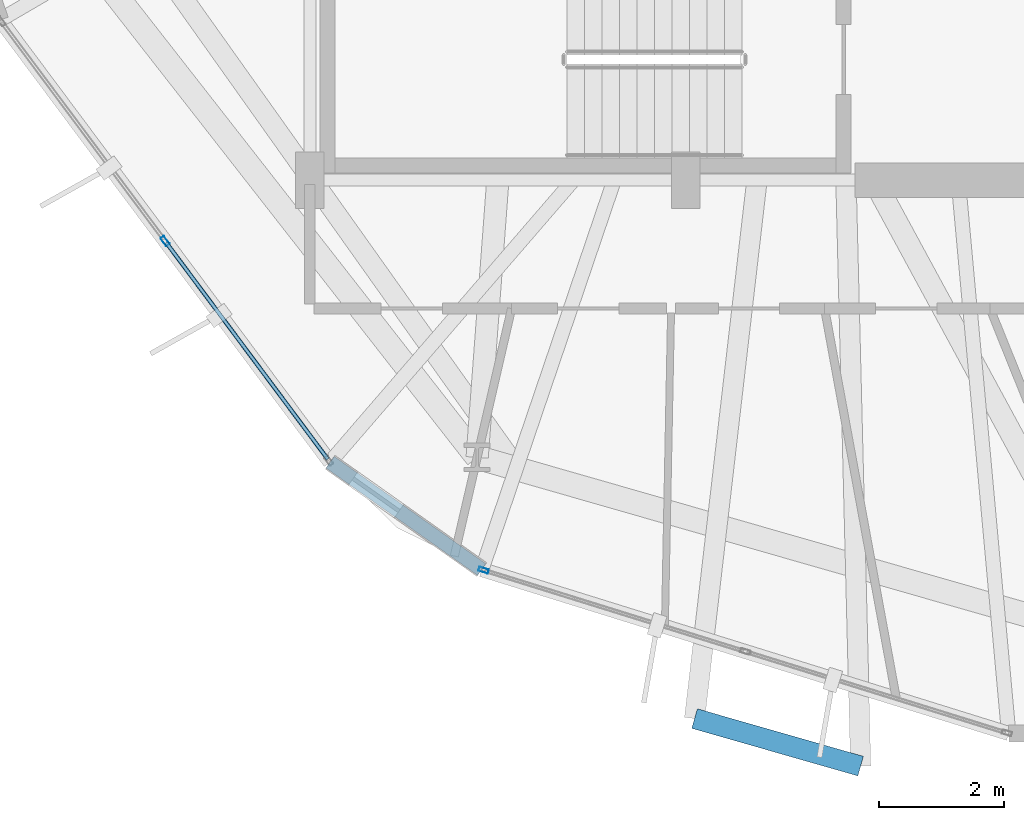
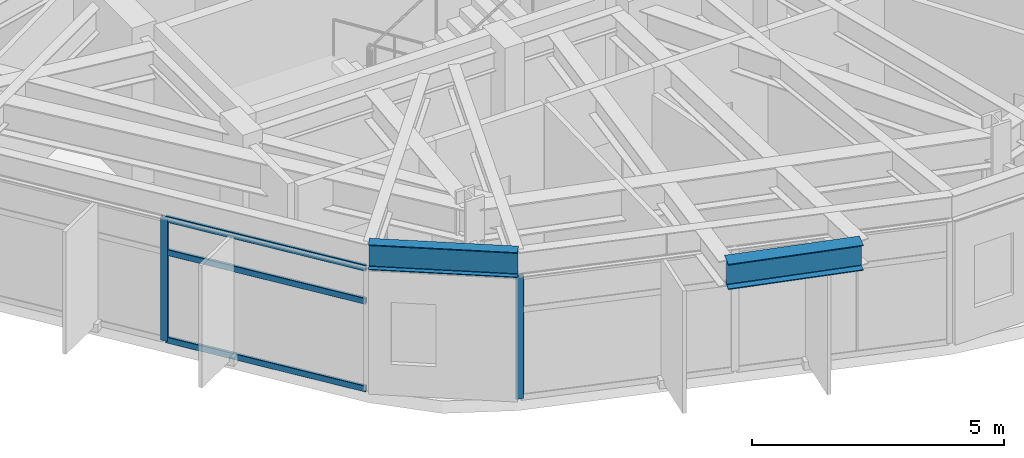
# One storey, part 2 of 25: 5 members, 2 beams, 2 elements without a shape of their own.
"""IFC4 building model written with IfcOpenShell, lengths in metres."""

from ifc_helpers import new_model, si_unit, direction, frame, origin, origin_2d, place, context, subcontext, project, spatial, hollow_rectangle, i_section, extrude, material, layer, layer_set, material_profile, profile_set, type_object, element, aggregate, save


model = new_model("IFC4")

# Units and contexts
model_context = context("Model", 3, precision=1e-05, world=origin(), true_north=direction((0.0, 1.0)))
body_context = subcontext(model_context, "Body", "Model", "MODEL_VIEW")
ifc_project = project(units=[si_unit("LENGTHUNIT", "METRE"), si_unit("AREAUNIT", "SQUARE_METRE"), si_unit("VOLUMEUNIT", "CUBIC_METRE"), si_unit("PLANEANGLEUNIT", "RADIAN"), si_unit("MASSUNIT", "GRAM", prefix="KILO")], contexts=[model_context])

# Site, building, storey
site_placement = place(None, origin())
site = spatial("IfcSite", under=ifc_project, at=site_placement, CompositionType="ELEMENT")
building_placement = place(site_placement, origin())
building = spatial("IfcBuilding", under=site, at=building_placement, Name="Soratama Intermodal Tower", CompositionType="ELEMENT")
storey_placement = place(building_placement, frame((0.0, 0.0, 106.89990234375)))
storey = spatial("IfcBuildingStorey", under=building, at=storey_placement, Name="L25", CompositionType="ELEMENT", Elevation=106.89990234375)

# Beams
ifc_material_1 = material(Name="Structural steel ASTM A992 Grade 50", Category="steel")
ifc_material_profile_1 = material_profile(ifc_material_1, i_section(OverallWidth=0.324951171875, OverallDepth=0.615966796875, WebThickness=0.013916015625, FlangeThickness=0.021484375, FilletRadius=0.013916015625, at=origin_2d()), Name="W24X117")
ifc_profile_set_1 = profile_set([ifc_material_profile_1], Name="Structural steel ASTM A992 Grade 50")
beam_type_1 = type_object("IfcBeamType", Name="BM-CANT-W24X117", PredefinedType="BEAM", material=ifc_profile_set_1)
beam_1_placement = place(storey_placement, frame((38.739990234375, 6.406982421875, 3.2919921875), z_axis=(0.961339907642, -0.275364453, 0.0), x_axis=(0.275364453, 0.961339907642, 0.0)))
element("IfcBeam", 1, at=beam_1_placement, inside=storey, type_object=beam_type_1, Name="BM-L25-CBHDR-3", PredefinedType="BEAM", context=body_context, shape_type="SweptSolid", body=[
    extrude(i_section(OverallWidth=0.324951171875, OverallDepth=0.615966796875, WebThickness=0.013916015625, FlangeThickness=0.021484375, FilletRadius=0.013916015625, at=origin_2d()), origin(), (0.0, 0.0, 1.0), 2.75634765625),
])
ifc_material_2 = material(Name="Structural steel ASTM A992 Grade 50", Category="steel")
ifc_material_profile_2 = material_profile(ifc_material_2, i_section(OverallWidth=0.22900390625, OverallDepth=0.612060546875, WebThickness=0.011962890625, FlangeThickness=0.01953125, FilletRadius=0.012939453125, at=origin_2d()), Name="W24X84")
ifc_profile_set_2 = profile_set([ifc_material_profile_2], Name="Structural steel ASTM A992 Grade 50")
beam_type_2 = type_object("IfcBeamType", Name="BM-SPN-W24X84", PredefinedType="SPANDREL", material=ifc_profile_set_2)
beam_2_placement = place(storey_placement, frame((32.922119140625, 10.498046875, 3.294189453125), z_axis=(0.816244349889, -0.577706812557, 0.0), x_axis=(0.577706812557, 0.816244349889, 0.0)))
element("IfcBeam", 2, at=beam_2_placement, inside=storey, type_object=beam_type_2, Name="BS-L25-CRN06", PredefinedType="SPANDREL", context=body_context, shape_type="SweptSolid", body=[
    extrude(i_section(OverallWidth=0.22900390625, OverallDepth=0.612060546875, WebThickness=0.011962890625, FlangeThickness=0.01953125, FilletRadius=0.012939453125, at=origin_2d()), origin(), (0.0, 0.0, 1.0), 2.967041015625),
])

# Curtain wall, member
ifc_material_3 = material(Name="Double-glazed aluminium curtain wall", Category="aluminium")
ifc_layer = layer(ifc_material_3, 0.159912109375)
ifc_layer_set = layer_set([ifc_layer], Name="Double-glazed aluminium curtain wall")
curtain_wall_type = type_object("IfcCurtainWallType", Name="CW-SYS-3", PredefinedType="NOTDEFINED", material=ifc_layer_set)
curtain_wall_1_placement = place(storey_placement, origin())
curtain_wall_1 = element("IfcCurtainWall", 3, at=curtain_wall_1_placement, inside=storey, type_object=curtain_wall_type, Name="L25 Faceted Curtain Wall F06", PredefinedType="NOTDEFINED")
ifc_material_4 = material(Name="Anodised aluminium AA 6063-T6", Category="aluminium")
ifc_material_profile_3 = material_profile(ifc_material_4, hollow_rectangle(XDim=0.070068359375, YDim=0.159912109375, WallThickness=0.0048828125, InnerFilletRadius=0.0048828125, OuterFilletRadius=0.010009765625, at=origin_2d()), Name="CWM160X70X5")
ifc_profile_set_3 = profile_set([ifc_material_profile_3], Name="Anodised aluminium AA 6063-T6")
member_type_1 = type_object("IfcMemberType", Name="MT-CWM-3", PredefinedType="MULLION", material=ifc_profile_set_3)
member_1_placement = place(storey_placement, frame((30.289794921875, 14.02734375, 0.0), z_axis=(0.0, 0.0, 1.0), x_axis=(0.801564290617, 0.597908595027, 0.0)))
member_1 = element("IfcMember", 4, at=member_1_placement, type_object=member_type_1, Name="CW-3 mullion 2", PredefinedType="MULLION", context=body_context, shape_type="SweptSolid", body=[
    extrude(hollow_rectangle(XDim=0.070068359375, YDim=0.159912109375, WallThickness=0.0048828125, InnerFilletRadius=0.0048828125, OuterFilletRadius=0.010009765625, at=origin_2d()), origin(), (0.0, 0.0, 1.0), 2.97900390625),
])

curtain_wall_2_placement = place(storey_placement, origin())
curtain_wall_2 = element("IfcCurtainWall", 5, at=curtain_wall_2_placement, inside=storey, type_object=curtain_wall_type, Name="L25 Faceted Curtain Wall F07", PredefinedType="NOTDEFINED")
member_2_placement = place(storey_placement, frame((35.372802734375, 8.775390625, 0.0), z_axis=(0.0, 0.0, 1.0), x_axis=(0.297039174407, 0.954865293572, 0.0)))
member_2 = element("IfcMember", 6, at=member_2_placement, type_object=member_type_1, Name="CW-3 mullion 1", PredefinedType="MULLION", context=body_context, shape_type="SweptSolid", body=[
    extrude(hollow_rectangle(XDim=0.070068359375, YDim=0.159912109375, WallThickness=0.0048828125, InnerFilletRadius=0.0048828125, OuterFilletRadius=0.010009765625, at=origin_2d()), origin(), (0.0, 0.0, 1.0), 2.97900390625),
])
aggregate(curtain_wall_2, [member_2])

# Member
ifc_material_5 = material(Name="Anodised aluminium AA 6063-T6", Category="aluminium")
ifc_material_profile_4 = material_profile(ifc_material_5, hollow_rectangle(XDim=0.06494140625, YDim=0.14990234375, WallThickness=0.0048828125, InnerFilletRadius=0.0048828125, OuterFilletRadius=0.010009765625, at=origin_2d()), Name="CWT150X65X5")
ifc_profile_set_4 = profile_set([ifc_material_profile_4], Name="Anodised aluminium AA 6063-T6")
member_type_2 = type_object("IfcMemberType", Name="TT-CWT-1", PredefinedType="USERDEFINED", material=ifc_profile_set_4)
member_3_placement = place(storey_placement, frame((30.3076171875, 14.003173828125, 0.030029296875), z_axis=(0.597942238743, -0.801539193756, 0.0), x_axis=(0.801539193756, 0.597942238743, 0.0)))
member_3 = element("IfcMember", 7, at=member_3_placement, type_object=member_type_2, Name="CW-3 transom 2.1", ObjectType="TRANSOM", PredefinedType="USERDEFINED", context=body_context, shape_type="SweptSolid", body=[
    extrude(hollow_rectangle(XDim=0.06494140625, YDim=0.14990234375, WallThickness=0.0048828125, InnerFilletRadius=0.0048828125, OuterFilletRadius=0.010009765625, at=origin_2d()), origin(), (0.0, 0.0, 1.0), 4.313232421875),
])

member_4_placement = place(storey_placement, frame((30.3076171875, 14.003173828125, 2.150146484375), z_axis=(0.597942238743, -0.801539193756, 0.0), x_axis=(0.801539193756, 0.597942238743, 0.0)))
member_4 = element("IfcMember", 8, at=member_4_placement, type_object=member_type_2, Name="CW-3 transom 2.2", ObjectType="TRANSOM", PredefinedType="USERDEFINED", context=body_context, shape_type="SweptSolid", body=[
    extrude(hollow_rectangle(XDim=0.06494140625, YDim=0.14990234375, WallThickness=0.0048828125, InnerFilletRadius=0.0048828125, OuterFilletRadius=0.010009765625, at=origin_2d()), origin(), (0.0, 0.0, 1.0), 4.313232421875),
])

member_5_placement = place(storey_placement, frame((30.3076171875, 14.003173828125, 2.94921875), z_axis=(0.597942238743, -0.801539193756, 0.0), x_axis=(0.801539193756, 0.597942238743, 0.0)))
member_5 = element("IfcMember", 9, at=member_5_placement, type_object=member_type_2, Name="CW-3 transom 2.3", ObjectType="TRANSOM", PredefinedType="USERDEFINED", context=body_context, shape_type="SweptSolid", body=[
    extrude(hollow_rectangle(XDim=0.06494140625, YDim=0.14990234375, WallThickness=0.0048828125, InnerFilletRadius=0.0048828125, OuterFilletRadius=0.010009765625, at=origin_2d()), origin(), (0.0, 0.0, 1.0), 4.313232421875),
])

aggregate(curtain_wall_1, [member_1, member_3, member_4, member_5])

save(model, "model.ifc")
